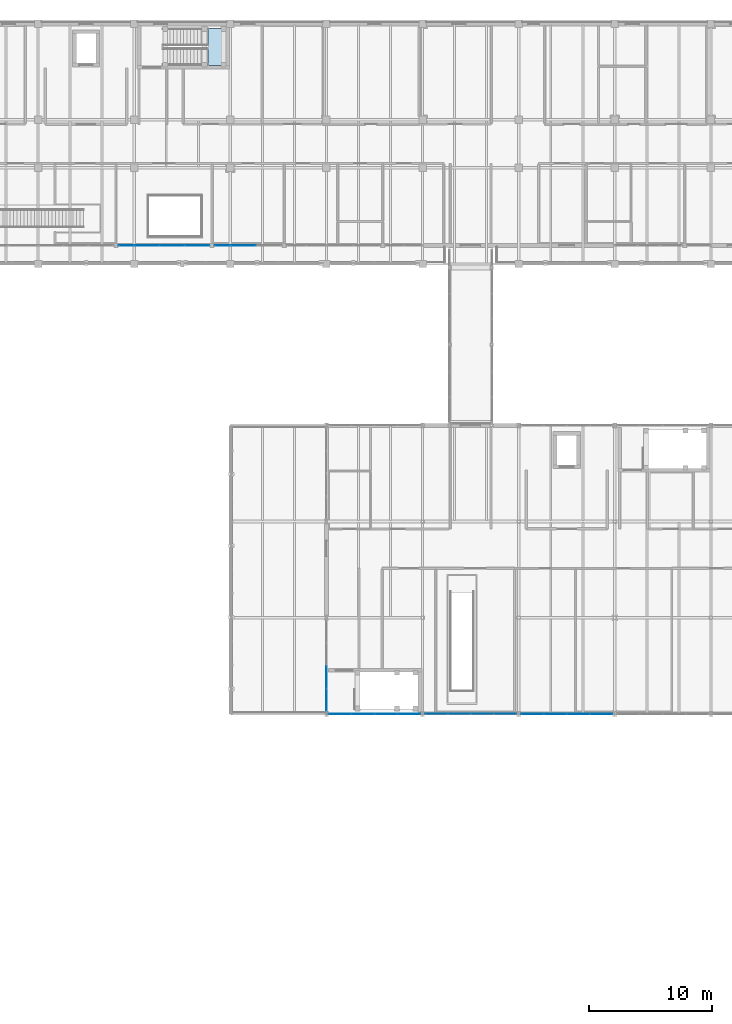
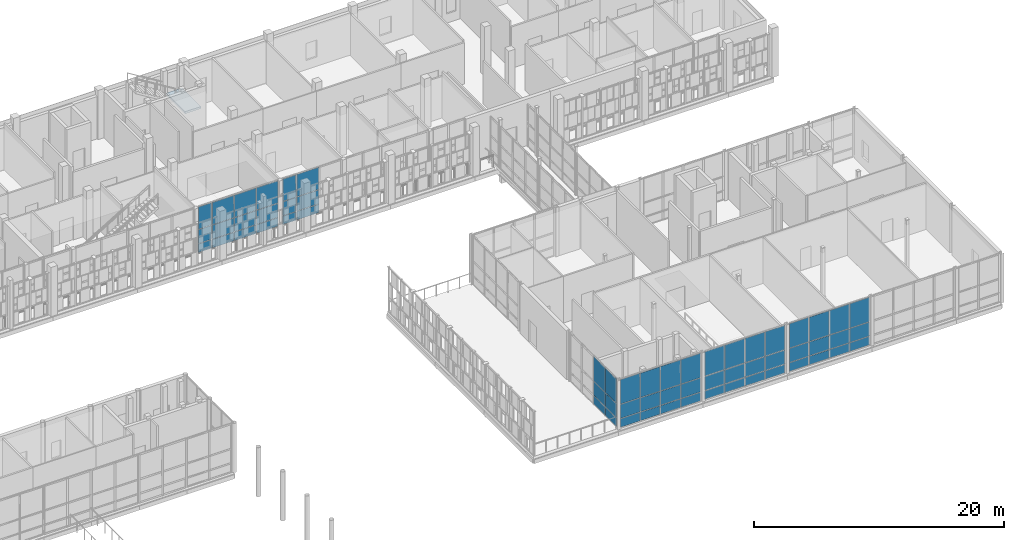
# One storey, part 86 of 138: 60 plates, 1 slab, 9 elements without a shape of their own.
"""IFC4 building model written with IfcOpenShell, lengths in metres."""

from ifc_helpers import new_model, si_unit, direction, frame, origin, origin_2d, place, context, subcontext, project, spatial, polyline, rectangle, outline, extrude, material, layer, layer_set, type_object, element, aggregate, save


model = new_model("IFC4")

# Units and contexts
model_context = context("Model", 3, precision=1e-05, world=origin(), true_north=direction((0.0, 1.0)))
body_context = subcontext(model_context, "Body", "Model", "MODEL_VIEW")
ifc_project = project(units=[si_unit("LENGTHUNIT", "METRE"), si_unit("AREAUNIT", "SQUARE_METRE"), si_unit("VOLUMEUNIT", "CUBIC_METRE"), si_unit("PLANEANGLEUNIT", "RADIAN"), si_unit("MASSUNIT", "GRAM", prefix="KILO")], contexts=[model_context])

# Site, building, storey
site_placement = place(None, origin())
site = spatial("IfcSite", under=ifc_project, at=site_placement, CompositionType="ELEMENT")
building_placement = place(site_placement, origin())
building = spatial("IfcBuilding", under=site, at=building_placement, Name="Celorna Specialist Clinic", CompositionType="ELEMENT")
storey_placement = place(building_placement, frame((0.0, 0.0, 4.800048828125)))
storey = spatial("IfcBuildingStorey", under=building, at=storey_placement, Name="L01", CompositionType="ELEMENT", Elevation=4.800048828125)

# Curtain wall, plates
ifc_material_1 = material(Name="Thermally broken aluminium and solar-control glass curtain wall", Category="aluminium")
ifc_layer_1 = layer(ifc_material_1, 0.159912109375, Name="Thermally broken aluminium and solar-control glass curtain wall")
ifc_layer_set_1 = layer_set([ifc_layer_1], Name="Thermally broken aluminium and solar-control glass curtain wall")
curtain_wall_type_1 = type_object("IfcCurtainWallType", Name="CW-41", PredefinedType="NOTDEFINED", material=ifc_layer_set_1)
curtain_wall_1_placement = place(storey_placement, origin())
curtain_wall_1 = element("IfcCurtainWall", 1, at=curtain_wall_1_placement, inside=storey, type_object=curtain_wall_type_1, Name="Curtain wall CW-41 #76", PredefinedType="NOTDEFINED")
ifc_material_2 = material(Name="Low-e double glazing", Category="glass")
ifc_layer_2 = layer(ifc_material_2, 0.028076171875, Name="Low-e double glazing")
ifc_layer_set_2 = layer_set([ifc_layer_2], Name="Low-e double glazing")
plate_type_1 = type_object("IfcPlateType", Name="CPN-01", PredefinedType="CURTAIN_PANEL", material=ifc_layer_set_2)
plate_1_placement = place(storey_placement, frame((147.096923828125, 60.0, 0.0498046875), z_axis=(0.0, 0.0, 1.0), x_axis=(-1.0, 0.0, 0.0)))
plate_1 = element("IfcPlate", 2, at=plate_1_placement, type_object=plate_type_1, Name="CW-41 panel 1.1", PredefinedType="CURTAIN_PANEL", context=body_context, shape_type="SweptSolid", body=[
    extrude(rectangle(XDim=1.798095703125, YDim=0.028076171875, at=origin_2d()), origin(), (0.0, 0.0, 1.0), 0.824951171875),
])
plate_2_placement = place(storey_placement, frame((147.096923828125, 60.0, 0.9248046875), z_axis=(0.0, 0.0, 1.0), x_axis=(-1.0, 0.0, 0.0)))
plate_2 = element("IfcPlate", 3, at=plate_2_placement, type_object=plate_type_1, Name="CW-41 panel 1.2", PredefinedType="CURTAIN_PANEL", context=body_context, shape_type="SweptSolid", body=[
    extrude(rectangle(XDim=1.798095703125, YDim=0.028076171875, at=origin_2d()), origin(), (0.0, 0.0, 1.0), 1.35009765625),
])
plate_3_placement = place(storey_placement, frame((147.096923828125, 60.0, 2.324951171875), z_axis=(0.0, 0.0, 1.0), x_axis=(-1.0, 0.0, 0.0)))
plate_3 = element("IfcPlate", 4, at=plate_3_placement, type_object=plate_type_1, Name="CW-41 panel 1.3", PredefinedType="CURTAIN_PANEL", context=body_context, shape_type="SweptSolid", body=[
    extrude(rectangle(XDim=1.798095703125, YDim=0.028076171875, at=origin_2d()), origin(), (0.0, 0.0, 1.0), 2.375),
])
plate_4_placement = place(storey_placement, frame((145.236572265625, 60.0, 0.0498046875), z_axis=(0.0, 0.0, 1.0), x_axis=(-1.0, 0.0, 0.0)))
plate_4 = element("IfcPlate", 5, at=plate_4_placement, type_object=plate_type_1, Name="CW-41 panel 2.1", PredefinedType="CURTAIN_PANEL", context=body_context, shape_type="SweptSolid", body=[
    extrude(rectangle(XDim=1.822998046875, YDim=0.028076171875, at=origin_2d()), origin(), (0.0, 0.0, 1.0), 0.824951171875),
])
plate_5_placement = place(storey_placement, frame((145.236572265625, 60.0, 0.9248046875), z_axis=(0.0, 0.0, 1.0), x_axis=(-1.0, 0.0, 0.0)))
plate_5 = element("IfcPlate", 6, at=plate_5_placement, type_object=plate_type_1, Name="CW-41 panel 2.2", PredefinedType="CURTAIN_PANEL", context=body_context, shape_type="SweptSolid", body=[
    extrude(rectangle(XDim=1.822998046875, YDim=0.028076171875, at=origin_2d()), origin(), (0.0, 0.0, 1.0), 1.35009765625),
])
plate_6_placement = place(storey_placement, frame((145.236572265625, 60.0, 2.324951171875), z_axis=(0.0, 0.0, 1.0), x_axis=(-1.0, 0.0, 0.0)))
plate_6 = element("IfcPlate", 7, at=plate_6_placement, type_object=plate_type_1, Name="CW-41 panel 2.3", PredefinedType="CURTAIN_PANEL", context=body_context, shape_type="SweptSolid", body=[
    extrude(rectangle(XDim=1.822998046875, YDim=0.028076171875, at=origin_2d()), origin(), (0.0, 0.0, 1.0), 2.375),
])
plate_7_placement = place(storey_placement, frame((143.363525390625, 60.0, 0.0498046875), z_axis=(0.0, 0.0, 1.0), x_axis=(-1.0, 0.0, 0.0)))
plate_7 = element("IfcPlate", 8, at=plate_7_placement, type_object=plate_type_1, Name="CW-41 panel 3.1", PredefinedType="CURTAIN_PANEL", context=body_context, shape_type="SweptSolid", body=[
    extrude(rectangle(XDim=1.822998046875, YDim=0.028076171875, at=origin_2d()), origin(), (0.0, 0.0, 1.0), 0.824951171875),
])
plate_8_placement = place(storey_placement, frame((143.363525390625, 60.0, 0.9248046875), z_axis=(0.0, 0.0, 1.0), x_axis=(-1.0, 0.0, 0.0)))
plate_8 = element("IfcPlate", 9, at=plate_8_placement, type_object=plate_type_1, Name="CW-41 panel 3.2", PredefinedType="CURTAIN_PANEL", context=body_context, shape_type="SweptSolid", body=[
    extrude(rectangle(XDim=1.822998046875, YDim=0.028076171875, at=origin_2d()), origin(), (0.0, 0.0, 1.0), 1.35009765625),
])
plate_9_placement = place(storey_placement, frame((143.363525390625, 60.0, 2.324951171875), z_axis=(0.0, 0.0, 1.0), x_axis=(-1.0, 0.0, 0.0)))
plate_9 = element("IfcPlate", 10, at=plate_9_placement, type_object=plate_type_1, Name="CW-41 panel 3.3", PredefinedType="CURTAIN_PANEL", context=body_context, shape_type="SweptSolid", body=[
    extrude(rectangle(XDim=1.822998046875, YDim=0.028076171875, at=origin_2d()), origin(), (0.0, 0.0, 1.0), 2.375),
])
plate_10_placement = place(storey_placement, frame((141.5029296875, 60.0, 0.0498046875), z_axis=(0.0, 0.0, 1.0), x_axis=(-1.0, 0.0, 0.0)))
plate_10 = element("IfcPlate", 11, at=plate_10_placement, type_object=plate_type_1, Name="CW-41 panel 4.1", PredefinedType="CURTAIN_PANEL", context=body_context, shape_type="SweptSolid", body=[
    extrude(rectangle(XDim=1.798095703125, YDim=0.028076171875, at=origin_2d()), origin(), (0.0, 0.0, 1.0), 0.824951171875),
])
plate_11_placement = place(storey_placement, frame((141.5029296875, 60.0, 0.9248046875), z_axis=(0.0, 0.0, 1.0), x_axis=(-1.0, 0.0, 0.0)))
plate_11 = element("IfcPlate", 12, at=plate_11_placement, type_object=plate_type_1, Name="CW-41 panel 4.2", PredefinedType="CURTAIN_PANEL", context=body_context, shape_type="SweptSolid", body=[
    extrude(rectangle(XDim=1.798095703125, YDim=0.028076171875, at=origin_2d()), origin(), (0.0, 0.0, 1.0), 1.35009765625),
])
plate_12_placement = place(storey_placement, frame((141.5029296875, 60.0, 2.324951171875), z_axis=(0.0, 0.0, 1.0), x_axis=(-1.0, 0.0, 0.0)))
plate_12 = element("IfcPlate", 13, at=plate_12_placement, type_object=plate_type_1, Name="CW-41 panel 4.3", PredefinedType="CURTAIN_PANEL", context=body_context, shape_type="SweptSolid", body=[
    extrude(rectangle(XDim=1.798095703125, YDim=0.028076171875, at=origin_2d()), origin(), (0.0, 0.0, 1.0), 2.375),
])
aggregate(curtain_wall_1, [plate_1, plate_2, plate_3, plate_4, plate_5, plate_6, plate_7, plate_8, plate_9, plate_10, plate_11, plate_12])

ifc_layer_3 = layer(ifc_material_1, 0.159912109375, Name="Thermally broken aluminium and solar-control glass curtain wall")
ifc_layer_set_3 = layer_set([ifc_layer_3], Name="Thermally broken aluminium and solar-control glass curtain wall")
curtain_wall_type_2 = type_object("IfcCurtainWallType", Name="CW-62", PredefinedType="NOTDEFINED", material=ifc_layer_set_3)
curtain_wall_2_placement = place(storey_placement, origin())
curtain_wall_2 = element("IfcCurtainWall", 14, at=curtain_wall_2_placement, inside=storey, type_object=curtain_wall_type_2, Name="Curtain wall CW-62 #116", PredefinedType="NOTDEFINED")
plate_13_placement = place(storey_placement, frame((125.864501953125, 98.0, 0.0498046875), z_axis=(0.0, 0.0, 1.0), x_axis=(-1.0, 0.0, 0.0)))
plate_13 = element("IfcPlate", 15, at=plate_13_placement, type_object=plate_type_1, Name="CW-62 panel 2.1", PredefinedType="CURTAIN_PANEL", context=body_context, shape_type="SweptSolid", body=[
    extrude(rectangle(XDim=2.02099609375, YDim=0.028076171875, at=origin_2d()), origin(), (0.0, 0.0, 1.0), 0.824951171875),
])
plate_14_placement = place(storey_placement, frame((125.864501953125, 98.0, 0.9248046875), z_axis=(0.0, 0.0, 1.0), x_axis=(-1.0, 0.0, 0.0)))
plate_14 = element("IfcPlate", 16, at=plate_14_placement, type_object=plate_type_1, Name="CW-62 panel 2.2", PredefinedType="CURTAIN_PANEL", context=body_context, shape_type="SweptSolid", body=[
    extrude(rectangle(XDim=2.02099609375, YDim=0.028076171875, at=origin_2d()), origin(), (0.0, 0.0, 1.0), 1.35009765625),
])
plate_15_placement = place(storey_placement, frame((125.864501953125, 98.0, 2.324951171875), z_axis=(0.0, 0.0, 1.0), x_axis=(-1.0, 0.0, 0.0)))
plate_15 = element("IfcPlate", 17, at=plate_15_placement, type_object=plate_type_1, Name="CW-62 panel 2.3", PredefinedType="CURTAIN_PANEL", context=body_context, shape_type="SweptSolid", body=[
    extrude(rectangle(XDim=2.02099609375, YDim=0.028076171875, at=origin_2d()), origin(), (0.0, 0.0, 1.0), 2.1650390625),
])
aggregate(curtain_wall_2, [plate_13, plate_14, plate_15])

ifc_layer_4 = layer(ifc_material_1, 0.159912109375, Name="Thermally broken aluminium and solar-control glass curtain wall")
ifc_layer_set_4 = layer_set([ifc_layer_4], Name="Thermally broken aluminium and solar-control glass curtain wall")
curtain_wall_type_3 = type_object("IfcCurtainWallType", Name="CW-42", PredefinedType="NOTDEFINED", material=ifc_layer_set_4)
curtain_wall_3_placement = place(storey_placement, origin())
curtain_wall_3 = element("IfcCurtainWall", 18, at=curtain_wall_3_placement, inside=storey, type_object=curtain_wall_type_3, Name="Curtain wall CW-42 #77", PredefinedType="NOTDEFINED")
ifc_material_3 = material(Name="Solar-control triple glazing", Category="glass")
ifc_layer_5 = layer(ifc_material_3, 0.035888671875, Name="Solar-control triple glazing")
ifc_layer_set_5 = layer_set([ifc_layer_5], Name="Solar-control triple glazing")
plate_type_2 = type_object("IfcPlateType", Name="CPN-02", PredefinedType="CURTAIN_PANEL", material=ifc_layer_set_5)
plate_16_placement = place(storey_placement, frame((154.89697265625, 60.0, 0.0498046875), z_axis=(0.0, 0.0, 1.0), x_axis=(-1.0, 0.0, 0.0)))
plate_16 = element("IfcPlate", 19, at=plate_16_placement, type_object=plate_type_2, Name="CW-42 panel 1.1", PredefinedType="CURTAIN_PANEL", context=body_context, shape_type="SweptSolid", body=[
    extrude(rectangle(XDim=1.798095703125, YDim=0.035888671875, at=origin_2d()), origin(), (0.0, 0.0, 1.0), 0.824951171875),
])
plate_17_placement = place(storey_placement, frame((154.89697265625, 60.0, 0.9248046875), z_axis=(0.0, 0.0, 1.0), x_axis=(-1.0, 0.0, 0.0)))
plate_17 = element("IfcPlate", 20, at=plate_17_placement, type_object=plate_type_2, Name="CW-42 panel 1.2", PredefinedType="CURTAIN_PANEL", context=body_context, shape_type="SweptSolid", body=[
    extrude(rectangle(XDim=1.798095703125, YDim=0.035888671875, at=origin_2d()), origin(), (0.0, 0.0, 1.0), 1.35009765625),
])
plate_18_placement = place(storey_placement, frame((154.89697265625, 60.0, 2.324951171875), z_axis=(0.0, 0.0, 1.0), x_axis=(-1.0, 0.0, 0.0)))
plate_18 = element("IfcPlate", 21, at=plate_18_placement, type_object=plate_type_2, Name="CW-42 panel 1.3", PredefinedType="CURTAIN_PANEL", context=body_context, shape_type="SweptSolid", body=[
    extrude(rectangle(XDim=1.798095703125, YDim=0.035888671875, at=origin_2d()), origin(), (0.0, 0.0, 1.0), 2.375),
])
plate_19_placement = place(storey_placement, frame((153.03662109375, 60.0, 0.0498046875), z_axis=(0.0, 0.0, 1.0), x_axis=(-1.0, 0.0, 0.0)))
plate_19 = element("IfcPlate", 22, at=plate_19_placement, type_object=plate_type_2, Name="CW-42 panel 2.1", PredefinedType="CURTAIN_PANEL", context=body_context, shape_type="SweptSolid", body=[
    extrude(rectangle(XDim=1.822998046875, YDim=0.035888671875, at=origin_2d()), origin(), (0.0, 0.0, 1.0), 0.824951171875),
])
plate_20_placement = place(storey_placement, frame((153.03662109375, 60.0, 0.9248046875), z_axis=(0.0, 0.0, 1.0), x_axis=(-1.0, 0.0, 0.0)))
plate_20 = element("IfcPlate", 23, at=plate_20_placement, type_object=plate_type_2, Name="CW-42 panel 2.2", PredefinedType="CURTAIN_PANEL", context=body_context, shape_type="SweptSolid", body=[
    extrude(rectangle(XDim=1.822998046875, YDim=0.035888671875, at=origin_2d()), origin(), (0.0, 0.0, 1.0), 1.35009765625),
])
plate_21_placement = place(storey_placement, frame((153.03662109375, 60.0, 2.324951171875), z_axis=(0.0, 0.0, 1.0), x_axis=(-1.0, 0.0, 0.0)))
plate_21 = element("IfcPlate", 24, at=plate_21_placement, type_object=plate_type_2, Name="CW-42 panel 2.3", PredefinedType="CURTAIN_PANEL", context=body_context, shape_type="SweptSolid", body=[
    extrude(rectangle(XDim=1.822998046875, YDim=0.035888671875, at=origin_2d()), origin(), (0.0, 0.0, 1.0), 2.375),
])
plate_22_placement = place(storey_placement, frame((151.16357421875, 60.0, 0.0498046875), z_axis=(0.0, 0.0, 1.0), x_axis=(-1.0, 0.0, 0.0)))
plate_22 = element("IfcPlate", 25, at=plate_22_placement, type_object=plate_type_2, Name="CW-42 panel 3.1", PredefinedType="CURTAIN_PANEL", context=body_context, shape_type="SweptSolid", body=[
    extrude(rectangle(XDim=1.822998046875, YDim=0.035888671875, at=origin_2d()), origin(), (0.0, 0.0, 1.0), 0.824951171875),
])
plate_23_placement = place(storey_placement, frame((151.16357421875, 60.0, 0.9248046875), z_axis=(0.0, 0.0, 1.0), x_axis=(-1.0, 0.0, 0.0)))
plate_23 = element("IfcPlate", 26, at=plate_23_placement, type_object=plate_type_2, Name="CW-42 panel 3.2", PredefinedType="CURTAIN_PANEL", context=body_context, shape_type="SweptSolid", body=[
    extrude(rectangle(XDim=1.822998046875, YDim=0.035888671875, at=origin_2d()), origin(), (0.0, 0.0, 1.0), 1.35009765625),
])
plate_24_placement = place(storey_placement, frame((151.16357421875, 60.0, 2.324951171875), z_axis=(0.0, 0.0, 1.0), x_axis=(-1.0, 0.0, 0.0)))
plate_24 = element("IfcPlate", 27, at=plate_24_placement, type_object=plate_type_2, Name="CW-42 panel 3.3", PredefinedType="CURTAIN_PANEL", context=body_context, shape_type="SweptSolid", body=[
    extrude(rectangle(XDim=1.822998046875, YDim=0.035888671875, at=origin_2d()), origin(), (0.0, 0.0, 1.0), 2.375),
])
plate_25_placement = place(storey_placement, frame((149.302978515625, 60.0, 0.0498046875), z_axis=(0.0, 0.0, 1.0), x_axis=(-1.0, 0.0, 0.0)))
plate_25 = element("IfcPlate", 28, at=plate_25_placement, type_object=plate_type_2, Name="CW-42 panel 4.1", PredefinedType="CURTAIN_PANEL", context=body_context, shape_type="SweptSolid", body=[
    extrude(rectangle(XDim=1.798095703125, YDim=0.035888671875, at=origin_2d()), origin(), (0.0, 0.0, 1.0), 0.824951171875),
])
plate_26_placement = place(storey_placement, frame((149.302978515625, 60.0, 0.9248046875), z_axis=(0.0, 0.0, 1.0), x_axis=(-1.0, 0.0, 0.0)))
plate_26 = element("IfcPlate", 29, at=plate_26_placement, type_object=plate_type_2, Name="CW-42 panel 4.2", PredefinedType="CURTAIN_PANEL", context=body_context, shape_type="SweptSolid", body=[
    extrude(rectangle(XDim=1.798095703125, YDim=0.035888671875, at=origin_2d()), origin(), (0.0, 0.0, 1.0), 1.35009765625),
])
plate_27_placement = place(storey_placement, frame((149.302978515625, 60.0, 2.324951171875), z_axis=(0.0, 0.0, 1.0), x_axis=(-1.0, 0.0, 0.0)))
plate_27 = element("IfcPlate", 30, at=plate_27_placement, type_object=plate_type_2, Name="CW-42 panel 4.3", PredefinedType="CURTAIN_PANEL", context=body_context, shape_type="SweptSolid", body=[
    extrude(rectangle(XDim=1.798095703125, YDim=0.035888671875, at=origin_2d()), origin(), (0.0, 0.0, 1.0), 2.375),
])
aggregate(curtain_wall_3, [plate_16, plate_17, plate_18, plate_19, plate_20, plate_21, plate_22, plate_23, plate_24, plate_25, plate_26, plate_27])

ifc_layer_6 = layer(ifc_material_1, 0.159912109375, Name="Thermally broken aluminium and solar-control glass curtain wall")
ifc_layer_set_6 = layer_set([ifc_layer_6], Name="Thermally broken aluminium and solar-control glass curtain wall")
curtain_wall_type_4 = type_object("IfcCurtainWallType", Name="CW-57", PredefinedType="NOTDEFINED", material=ifc_layer_set_6)
curtain_wall_4_placement = place(storey_placement, origin())
curtain_wall_4 = element("IfcCurtainWall", 31, at=curtain_wall_4_placement, inside=storey, type_object=curtain_wall_type_4, Name="Curtain wall CW-57 #111", PredefinedType="NOTDEFINED")
plate_28_placement = place(storey_placement, frame((116.344970703125, 98.0, 0.0498046875), z_axis=(0.0, 0.0, 1.0), x_axis=(-1.0, 0.0, 0.0)))
plate_28 = element("IfcPlate", 32, at=plate_28_placement, type_object=plate_type_2, Name="CW-57 panel 1.1", PredefinedType="CURTAIN_PANEL", context=body_context, shape_type="SweptSolid", body=[
    extrude(rectangle(XDim=1.201904296875, YDim=0.035888671875, at=origin_2d()), origin(), (0.0, 0.0, 1.0), 0.824951171875),
])
plate_29_placement = place(storey_placement, frame((116.344970703125, 98.0, 0.9248046875), z_axis=(0.0, 0.0, 1.0), x_axis=(-1.0, 0.0, 0.0)))
plate_29 = element("IfcPlate", 33, at=plate_29_placement, type_object=plate_type_2, Name="CW-57 panel 1.2", PredefinedType="CURTAIN_PANEL", context=body_context, shape_type="SweptSolid", body=[
    extrude(rectangle(XDim=1.201904296875, YDim=0.035888671875, at=origin_2d()), origin(), (0.0, 0.0, 1.0), 1.35009765625),
])
plate_30_placement = place(storey_placement, frame((116.344970703125, 98.0, 2.324951171875), z_axis=(0.0, 0.0, 1.0), x_axis=(-1.0, 0.0, 0.0)))
plate_30 = element("IfcPlate", 34, at=plate_30_placement, type_object=plate_type_2, Name="CW-57 panel 1.3", PredefinedType="CURTAIN_PANEL", context=body_context, shape_type="SweptSolid", body=[
    extrude(rectangle(XDim=1.201904296875, YDim=0.035888671875, at=origin_2d()), origin(), (0.0, 0.0, 1.0), 2.1650390625),
])
aggregate(curtain_wall_4, [plate_28, plate_29, plate_30])

ifc_layer_7 = layer(ifc_material_1, 0.159912109375, Name="Thermally broken aluminium and solar-control glass curtain wall")
ifc_layer_set_7 = layer_set([ifc_layer_7], Name="Thermally broken aluminium and solar-control glass curtain wall")
curtain_wall_type_5 = type_object("IfcCurtainWallType", Name="CW-40", PredefinedType="NOTDEFINED", material=ifc_layer_set_7)
curtain_wall_5_placement = place(storey_placement, origin())
curtain_wall_5 = element("IfcCurtainWall", 35, at=curtain_wall_5_placement, inside=storey, type_object=curtain_wall_type_5, Name="Curtain wall CW-40 #75", PredefinedType="NOTDEFINED")
ifc_material_4 = material(Name="Glazed polychrome ceramic insulated spandrel")
ifc_layer_8 = layer(ifc_material_4, 0.0439453125, Name="Glazed polychrome ceramic insulated spandrel")
ifc_layer_set_8 = layer_set([ifc_layer_8], Name="Glazed polychrome ceramic insulated spandrel")
plate_type_3 = type_object("IfcPlateType", Name="CPN-03", PredefinedType="CURTAIN_PANEL", material=ifc_layer_set_8)
plate_31_placement = place(storey_placement, frame((139.297119140625, 60.0, 0.0498046875), z_axis=(0.0, 0.0, 1.0), x_axis=(-1.0, 0.0, 0.0)))
plate_31 = element("IfcPlate", 36, at=plate_31_placement, type_object=plate_type_3, Name="CW-40 panel 1.1", PredefinedType="CURTAIN_PANEL", context=body_context, shape_type="SweptSolid", body=[
    extrude(rectangle(XDim=1.798095703125, YDim=0.0439453125, at=origin_2d()), origin(), (0.0, 0.0, 1.0), 0.824951171875),
])
plate_32_placement = place(storey_placement, frame((139.297119140625, 60.0, 0.9248046875), z_axis=(0.0, 0.0, 1.0), x_axis=(-1.0, 0.0, 0.0)))
plate_32 = element("IfcPlate", 37, at=plate_32_placement, type_object=plate_type_3, Name="CW-40 panel 1.2", PredefinedType="CURTAIN_PANEL", context=body_context, shape_type="SweptSolid", body=[
    extrude(rectangle(XDim=1.798095703125, YDim=0.0439453125, at=origin_2d()), origin(), (0.0, 0.0, 1.0), 1.35009765625),
])
plate_33_placement = place(storey_placement, frame((139.297119140625, 60.0, 2.324951171875), z_axis=(0.0, 0.0, 1.0), x_axis=(-1.0, 0.0, 0.0)))
plate_33 = element("IfcPlate", 38, at=plate_33_placement, type_object=plate_type_3, Name="CW-40 panel 1.3", PredefinedType="CURTAIN_PANEL", context=body_context, shape_type="SweptSolid", body=[
    extrude(rectangle(XDim=1.798095703125, YDim=0.0439453125, at=origin_2d()), origin(), (0.0, 0.0, 1.0), 2.375),
])
plate_34_placement = place(storey_placement, frame((137.4365234375, 60.0, 0.0498046875), z_axis=(0.0, 0.0, 1.0), x_axis=(-1.0, 0.0, 0.0)))
plate_34 = element("IfcPlate", 39, at=plate_34_placement, type_object=plate_type_3, Name="CW-40 panel 2.1", PredefinedType="CURTAIN_PANEL", context=body_context, shape_type="SweptSolid", body=[
    extrude(rectangle(XDim=1.822998046875, YDim=0.0439453125, at=origin_2d()), origin(), (0.0, 0.0, 1.0), 0.824951171875),
])
plate_35_placement = place(storey_placement, frame((137.4365234375, 60.0, 0.9248046875), z_axis=(0.0, 0.0, 1.0), x_axis=(-1.0, 0.0, 0.0)))
plate_35 = element("IfcPlate", 40, at=plate_35_placement, type_object=plate_type_3, Name="CW-40 panel 2.2", PredefinedType="CURTAIN_PANEL", context=body_context, shape_type="SweptSolid", body=[
    extrude(rectangle(XDim=1.822998046875, YDim=0.0439453125, at=origin_2d()), origin(), (0.0, 0.0, 1.0), 1.35009765625),
])
plate_36_placement = place(storey_placement, frame((137.4365234375, 60.0, 2.324951171875), z_axis=(0.0, 0.0, 1.0), x_axis=(-1.0, 0.0, 0.0)))
plate_36 = element("IfcPlate", 41, at=plate_36_placement, type_object=plate_type_3, Name="CW-40 panel 2.3", PredefinedType="CURTAIN_PANEL", context=body_context, shape_type="SweptSolid", body=[
    extrude(rectangle(XDim=1.822998046875, YDim=0.0439453125, at=origin_2d()), origin(), (0.0, 0.0, 1.0), 2.375),
])
plate_37_placement = place(storey_placement, frame((135.5634765625, 60.0, 0.0498046875), z_axis=(0.0, 0.0, 1.0), x_axis=(-1.0, 0.0, 0.0)))
plate_37 = element("IfcPlate", 42, at=plate_37_placement, type_object=plate_type_3, Name="CW-40 panel 3.1", PredefinedType="CURTAIN_PANEL", context=body_context, shape_type="SweptSolid", body=[
    extrude(rectangle(XDim=1.822998046875, YDim=0.0439453125, at=origin_2d()), origin(), (0.0, 0.0, 1.0), 0.824951171875),
])
plate_38_placement = place(storey_placement, frame((135.5634765625, 60.0, 0.9248046875), z_axis=(0.0, 0.0, 1.0), x_axis=(-1.0, 0.0, 0.0)))
plate_38 = element("IfcPlate", 43, at=plate_38_placement, type_object=plate_type_3, Name="CW-40 panel 3.2", PredefinedType="CURTAIN_PANEL", context=body_context, shape_type="SweptSolid", body=[
    extrude(rectangle(XDim=1.822998046875, YDim=0.0439453125, at=origin_2d()), origin(), (0.0, 0.0, 1.0), 1.35009765625),
])
plate_39_placement = place(storey_placement, frame((135.5634765625, 60.0, 2.324951171875), z_axis=(0.0, 0.0, 1.0), x_axis=(-1.0, 0.0, 0.0)))
plate_39 = element("IfcPlate", 44, at=plate_39_placement, type_object=plate_type_3, Name="CW-40 panel 3.3", PredefinedType="CURTAIN_PANEL", context=body_context, shape_type="SweptSolid", body=[
    extrude(rectangle(XDim=1.822998046875, YDim=0.0439453125, at=origin_2d()), origin(), (0.0, 0.0, 1.0), 2.375),
])
plate_40_placement = place(storey_placement, frame((133.702880859375, 60.0, 0.0498046875), z_axis=(0.0, 0.0, 1.0), x_axis=(-1.0, 0.0, 0.0)))
plate_40 = element("IfcPlate", 45, at=plate_40_placement, type_object=plate_type_3, Name="CW-40 panel 4.1", PredefinedType="CURTAIN_PANEL", context=body_context, shape_type="SweptSolid", body=[
    extrude(rectangle(XDim=1.798095703125, YDim=0.0439453125, at=origin_2d()), origin(), (0.0, 0.0, 1.0), 0.824951171875),
])
plate_41_placement = place(storey_placement, frame((133.702880859375, 60.0, 0.9248046875), z_axis=(0.0, 0.0, 1.0), x_axis=(-1.0, 0.0, 0.0)))
plate_41 = element("IfcPlate", 46, at=plate_41_placement, type_object=plate_type_3, Name="CW-40 panel 4.2", PredefinedType="CURTAIN_PANEL", context=body_context, shape_type="SweptSolid", body=[
    extrude(rectangle(XDim=1.798095703125, YDim=0.0439453125, at=origin_2d()), origin(), (0.0, 0.0, 1.0), 1.35009765625),
])
plate_42_placement = place(storey_placement, frame((133.702880859375, 60.0, 2.324951171875), z_axis=(0.0, 0.0, 1.0), x_axis=(-1.0, 0.0, 0.0)))
plate_42 = element("IfcPlate", 47, at=plate_42_placement, type_object=plate_type_3, Name="CW-40 panel 4.3", PredefinedType="CURTAIN_PANEL", context=body_context, shape_type="SweptSolid", body=[
    extrude(rectangle(XDim=1.798095703125, YDim=0.0439453125, at=origin_2d()), origin(), (0.0, 0.0, 1.0), 2.375),
])
aggregate(curtain_wall_5, [plate_31, plate_32, plate_33, plate_34, plate_35, plate_36, plate_37, plate_38, plate_39, plate_40, plate_41, plate_42])

ifc_layer_9 = layer(ifc_material_1, 0.159912109375, Name="Thermally broken aluminium and solar-control glass curtain wall")
ifc_layer_set_9 = layer_set([ifc_layer_9], Name="Thermally broken aluminium and solar-control glass curtain wall")
curtain_wall_type_6 = type_object("IfcCurtainWallType", Name="CW-44", PredefinedType="NOTDEFINED", material=ifc_layer_set_9)
curtain_wall_6_placement = place(storey_placement, origin())
curtain_wall_6 = element("IfcCurtainWall", 48, at=curtain_wall_6_placement, inside=storey, type_object=curtain_wall_type_6, Name="Curtain wall CW-44 #84", PredefinedType="NOTDEFINED")
plate_43_placement = place(storey_placement, frame((132.60009765625, 61.12548828125, 0.0498046875), z_axis=(0.0, 0.0, 1.0), x_axis=(0.0, 1.0, 0.0)))
plate_43 = element("IfcPlate", 49, at=plate_43_placement, type_object=plate_type_3, Name="CW-44 panel 1.1", PredefinedType="CURTAIN_PANEL", context=body_context, shape_type="SweptSolid", body=[
    extrude(rectangle(XDim=1.782958984375, YDim=0.0439453125, at=origin_2d()), origin(), (0.0, 0.0, 1.0), 0.824951171875),
])
plate_44_placement = place(storey_placement, frame((132.60009765625, 61.12548828125, 0.9248046875), z_axis=(0.0, 0.0, 1.0), x_axis=(0.0, 1.0, 0.0)))
plate_44 = element("IfcPlate", 50, at=plate_44_placement, type_object=plate_type_3, Name="CW-44 panel 1.2", PredefinedType="CURTAIN_PANEL", context=body_context, shape_type="SweptSolid", body=[
    extrude(rectangle(XDim=1.782958984375, YDim=0.0439453125, at=origin_2d()), origin(), (0.0, 0.0, 1.0), 1.35009765625),
])
plate_45_placement = place(storey_placement, frame((132.60009765625, 61.12548828125, 2.324951171875), z_axis=(0.0, 0.0, 1.0), x_axis=(0.0, 1.0, 0.0)))
plate_45 = element("IfcPlate", 51, at=plate_45_placement, type_object=plate_type_3, Name="CW-44 panel 1.3", PredefinedType="CURTAIN_PANEL", context=body_context, shape_type="SweptSolid", body=[
    extrude(rectangle(XDim=1.782958984375, YDim=0.0439453125, at=origin_2d()), origin(), (0.0, 0.0, 1.0), 2.375),
])
plate_46_placement = place(storey_placement, frame((132.60009765625, 62.970947265625, 0.0498046875), z_axis=(0.0, 0.0, 1.0), x_axis=(0.0, 1.0, 0.0)))
plate_46 = element("IfcPlate", 52, at=plate_46_placement, type_object=plate_type_3, Name="CW-44 panel 2.1", PredefinedType="CURTAIN_PANEL", context=body_context, shape_type="SweptSolid", body=[
    extrude(rectangle(XDim=1.80810546875, YDim=0.0439453125, at=origin_2d()), origin(), (0.0, 0.0, 1.0), 0.824951171875),
])
plate_47_placement = place(storey_placement, frame((132.60009765625, 62.970947265625, 0.9248046875), z_axis=(0.0, 0.0, 1.0), x_axis=(0.0, 1.0, 0.0)))
plate_47 = element("IfcPlate", 53, at=plate_47_placement, type_object=plate_type_3, Name="CW-44 panel 2.2", PredefinedType="CURTAIN_PANEL", context=body_context, shape_type="SweptSolid", body=[
    extrude(rectangle(XDim=1.80810546875, YDim=0.0439453125, at=origin_2d()), origin(), (0.0, 0.0, 1.0), 1.35009765625),
])
plate_48_placement = place(storey_placement, frame((132.60009765625, 62.970947265625, 2.324951171875), z_axis=(0.0, 0.0, 1.0), x_axis=(0.0, 1.0, 0.0)))
plate_48 = element("IfcPlate", 54, at=plate_48_placement, type_object=plate_type_3, Name="CW-44 panel 2.3", PredefinedType="CURTAIN_PANEL", context=body_context, shape_type="SweptSolid", body=[
    extrude(rectangle(XDim=1.80810546875, YDim=0.0439453125, at=origin_2d()), origin(), (0.0, 0.0, 1.0), 2.375),
])
aggregate(curtain_wall_6, [plate_43, plate_44, plate_45, plate_46, plate_47, plate_48])

ifc_layer_10 = layer(ifc_material_1, 0.159912109375, Name="Thermally broken aluminium and solar-control glass curtain wall")
ifc_layer_set_10 = layer_set([ifc_layer_10], Name="Thermally broken aluminium and solar-control glass curtain wall")
curtain_wall_type_7 = type_object("IfcCurtainWallType", Name="CW-59", PredefinedType="NOTDEFINED", material=ifc_layer_set_10)
curtain_wall_7_placement = place(storey_placement, origin())
curtain_wall_7 = element("IfcCurtainWall", 55, at=curtain_wall_7_placement, inside=storey, type_object=curtain_wall_type_7, Name="Curtain wall CW-59 #113", PredefinedType="NOTDEFINED")
plate_49_placement = place(storey_placement, frame((124.14501953125, 98.0, 0.0498046875), z_axis=(0.0, 0.0, 1.0), x_axis=(-1.0, 0.0, 0.0)))
plate_49 = element("IfcPlate", 56, at=plate_49_placement, type_object=plate_type_3, Name="CW-59 panel 1.1", PredefinedType="CURTAIN_PANEL", context=body_context, shape_type="SweptSolid", body=[
    extrude(rectangle(XDim=1.201904296875, YDim=0.0439453125, at=origin_2d()), origin(), (0.0, 0.0, 1.0), 0.824951171875),
])
plate_50_placement = place(storey_placement, frame((124.14501953125, 98.0, 0.9248046875), z_axis=(0.0, 0.0, 1.0), x_axis=(-1.0, 0.0, 0.0)))
plate_50 = element("IfcPlate", 57, at=plate_50_placement, type_object=plate_type_3, Name="CW-59 panel 1.2", PredefinedType="CURTAIN_PANEL", context=body_context, shape_type="SweptSolid", body=[
    extrude(rectangle(XDim=1.201904296875, YDim=0.0439453125, at=origin_2d()), origin(), (0.0, 0.0, 1.0), 1.35009765625),
])
plate_51_placement = place(storey_placement, frame((124.14501953125, 98.0, 2.324951171875), z_axis=(0.0, 0.0, 1.0), x_axis=(-1.0, 0.0, 0.0)))
plate_51 = element("IfcPlate", 58, at=plate_51_placement, type_object=plate_type_3, Name="CW-59 panel 1.3", PredefinedType="CURTAIN_PANEL", context=body_context, shape_type="SweptSolid", body=[
    extrude(rectangle(XDim=1.201904296875, YDim=0.0439453125, at=origin_2d()), origin(), (0.0, 0.0, 1.0), 2.1650390625),
])
aggregate(curtain_wall_7, [plate_49, plate_50, plate_51])

ifc_layer_11 = layer(ifc_material_1, 0.159912109375, Name="Thermally broken aluminium and solar-control glass curtain wall")
ifc_layer_set_11 = layer_set([ifc_layer_11], Name="Thermally broken aluminium and solar-control glass curtain wall")
curtain_wall_type_8 = type_object("IfcCurtainWallType", Name="CW-60", PredefinedType="NOTDEFINED", material=ifc_layer_set_11)
curtain_wall_8_placement = place(storey_placement, origin())
curtain_wall_8 = element("IfcCurtainWall", 59, at=curtain_wall_8_placement, inside=storey, type_object=curtain_wall_type_8, Name="Curtain wall CW-60 #114", PredefinedType="NOTDEFINED")
plate_52_placement = place(storey_placement, frame((122.10986328125, 98.0, 0.0498046875), z_axis=(0.0, 0.0, 1.0), x_axis=(-1.0, 0.0, 0.0)))
plate_52 = element("IfcPlate", 60, at=plate_52_placement, type_object=plate_type_3, Name="CW-60 panel 1.1", PredefinedType="CURTAIN_PANEL", context=body_context, shape_type="SweptSolid", body=[
    extrude(rectangle(XDim=1.972412109375, YDim=0.0439453125, at=origin_2d()), origin(), (0.0, 0.0, 1.0), 0.824951171875),
])
plate_53_placement = place(storey_placement, frame((122.10986328125, 98.0, 0.9248046875), z_axis=(0.0, 0.0, 1.0), x_axis=(-1.0, 0.0, 0.0)))
plate_53 = element("IfcPlate", 61, at=plate_53_placement, type_object=plate_type_3, Name="CW-60 panel 1.2", PredefinedType="CURTAIN_PANEL", context=body_context, shape_type="SweptSolid", body=[
    extrude(rectangle(XDim=1.972412109375, YDim=0.0439453125, at=origin_2d()), origin(), (0.0, 0.0, 1.0), 1.35009765625),
])
plate_54_placement = place(storey_placement, frame((122.10986328125, 98.0, 2.324951171875), z_axis=(0.0, 0.0, 1.0), x_axis=(-1.0, 0.0, 0.0)))
plate_54 = element("IfcPlate", 62, at=plate_54_placement, type_object=plate_type_3, Name="CW-60 panel 1.3", PredefinedType="CURTAIN_PANEL", context=body_context, shape_type="SweptSolid", body=[
    extrude(rectangle(XDim=1.972412109375, YDim=0.0439453125, at=origin_2d()), origin(), (0.0, 0.0, 1.0), 2.1650390625),
])
plate_55_placement = place(storey_placement, frame((120.074951171875, 98.0, 0.0498046875), z_axis=(0.0, 0.0, 1.0), x_axis=(-1.0, 0.0, 0.0)))
plate_55 = element("IfcPlate", 63, at=plate_55_placement, type_object=plate_type_3, Name="CW-60 panel 2.1", PredefinedType="CURTAIN_PANEL", context=body_context, shape_type="SweptSolid", body=[
    extrude(rectangle(XDim=1.997314453125, YDim=0.0439453125, at=origin_2d()), origin(), (0.0, 0.0, 1.0), 0.824951171875),
])
plate_56_placement = place(storey_placement, frame((120.074951171875, 98.0, 0.9248046875), z_axis=(0.0, 0.0, 1.0), x_axis=(-1.0, 0.0, 0.0)))
plate_56 = element("IfcPlate", 64, at=plate_56_placement, type_object=plate_type_3, Name="CW-60 panel 2.2", PredefinedType="CURTAIN_PANEL", context=body_context, shape_type="SweptSolid", body=[
    extrude(rectangle(XDim=1.997314453125, YDim=0.0439453125, at=origin_2d()), origin(), (0.0, 0.0, 1.0), 1.35009765625),
])
plate_57_placement = place(storey_placement, frame((120.074951171875, 98.0, 2.324951171875), z_axis=(0.0, 0.0, 1.0), x_axis=(-1.0, 0.0, 0.0)))
plate_57 = element("IfcPlate", 65, at=plate_57_placement, type_object=plate_type_3, Name="CW-60 panel 2.3", PredefinedType="CURTAIN_PANEL", context=body_context, shape_type="SweptSolid", body=[
    extrude(rectangle(XDim=1.997314453125, YDim=0.0439453125, at=origin_2d()), origin(), (0.0, 0.0, 1.0), 2.1650390625),
])
plate_58_placement = place(storey_placement, frame((118.040283203125, 98.0, 0.0498046875), z_axis=(0.0, 0.0, 1.0), x_axis=(-1.0, 0.0, 0.0)))
plate_58 = element("IfcPlate", 66, at=plate_58_placement, type_object=plate_type_3, Name="CW-60 panel 3.1", PredefinedType="CURTAIN_PANEL", context=body_context, shape_type="SweptSolid", body=[
    extrude(rectangle(XDim=1.972412109375, YDim=0.0439453125, at=origin_2d()), origin(), (0.0, 0.0, 1.0), 0.824951171875),
])
plate_59_placement = place(storey_placement, frame((118.040283203125, 98.0, 0.9248046875), z_axis=(0.0, 0.0, 1.0), x_axis=(-1.0, 0.0, 0.0)))
plate_59 = element("IfcPlate", 67, at=plate_59_placement, type_object=plate_type_3, Name="CW-60 panel 3.2", PredefinedType="CURTAIN_PANEL", context=body_context, shape_type="SweptSolid", body=[
    extrude(rectangle(XDim=1.972412109375, YDim=0.0439453125, at=origin_2d()), origin(), (0.0, 0.0, 1.0), 1.35009765625),
])
plate_60_placement = place(storey_placement, frame((118.040283203125, 98.0, 2.324951171875), z_axis=(0.0, 0.0, 1.0), x_axis=(-1.0, 0.0, 0.0)))
plate_60 = element("IfcPlate", 68, at=plate_60_placement, type_object=plate_type_3, Name="CW-60 panel 3.3", PredefinedType="CURTAIN_PANEL", context=body_context, shape_type="SweptSolid", body=[
    extrude(rectangle(XDim=1.972412109375, YDim=0.0439453125, at=origin_2d()), origin(), (0.0, 0.0, 1.0), 2.1650390625),
])
aggregate(curtain_wall_8, [plate_52, plate_53, plate_54, plate_55, plate_56, plate_57, plate_58, plate_59, plate_60])

# Stair, slab
ifc_material_5 = material(Name="Concrete C35/45", Category="concrete")
stair_type = type_object("IfcStairType", Name="ST-03", PredefinedType="HALF_TURN_STAIR", material=ifc_material_5)
stair_placement = place(storey_placement, origin())
stair = element("IfcStair", 69, at=stair_placement, inside=storey, type_object=stair_type, Name="L01 Protected exit stair ST-03", PredefinedType="HALF_TURN_STAIR")
ifc_layer_12 = layer(ifc_material_5, 0.199951171875, Name="Concrete C35/45")
ifc_layer_set_12 = layer_set([ifc_layer_12], Name="Concrete C35/45")
slab_type = type_object("IfcSlabType", Name="SL-11", PredefinedType="LANDING", material=ifc_layer_set_12)
slab_placement = place(storey_placement, frame((0.0, 0.0, 2.199951171875)))
slab = element("IfcSlab", 70, at=slab_placement, type_object=slab_type, Name="ST-03 landing 1", PredefinedType="LANDING", context=body_context, shape_type="SweptSolid", body=[
    extrude(outline(polyline([(122.97998046875, 112.6201171875), (124.43994140625, 112.6201171875), (124.43994140625, 115.6201171875), (122.97998046875, 115.6201171875), (122.97998046875, 112.6201171875)])), origin(), (0.0, 0.0, 1.0), 0.199951171875),
])
aggregate(stair, [slab])

save(model, "model.ifc")
